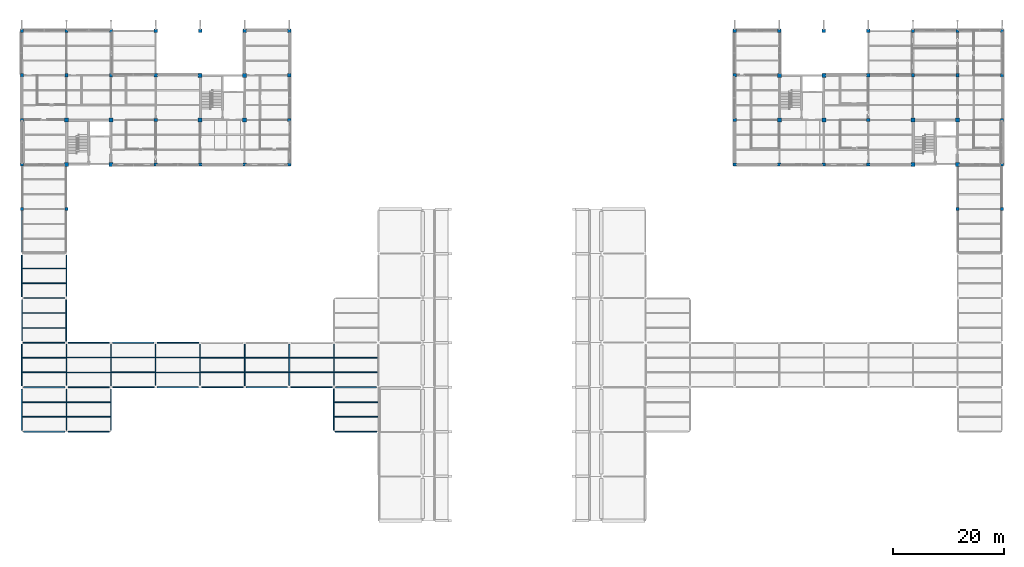
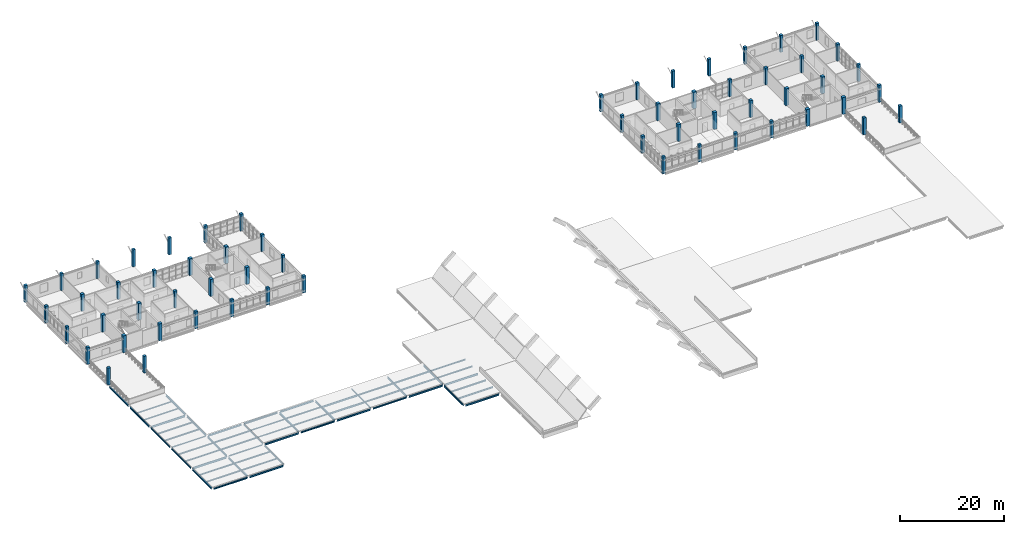
# One storey, part 1 of 35: 60 columns, 59 beams.
"""IFC4 building model written with IfcOpenShell, lengths in metres."""

import ifcopenshell
import ifcopenshell.guid

model = None  # the IFC model being written
_history = None  # IfcOwnerHistory: only IFC2X3 demands one
_inside = {}  # id of a spatial element -> (the spatial element, [elements in it])
_under = {}  # id of a project, library or spatial element -> (it, [spatial elements below it])
_declared = {}  # id of a project -> (the project, [libraries it declares])
_typed = {}  # id of a type object -> (the type object, [elements of that type])
_made_of = {}  # id of a material, layer set ... -> (it, [elements and type objects made of it])


def new_model(schema):
    """Start an empty IFC model of exactly this schema.

    Asked for "IFC4X3", IfcOpenShell would pick the latest addendum, in which some entities
    have other attributes; the version numbers below select the first issue.
    IFC2X3 requires an IfcOwnerHistory on every rooted entity: one is made here for all.
    """
    global model, _history
    if schema == "IFC4X3":
        model = ifcopenshell.file(schema_version=(4, 3, 0, 0))
    else:
        model = ifcopenshell.file(schema=schema)
    _inside.clear()
    _under.clear()
    _declared.clear()
    _typed.clear()
    _made_of.clear()
    _history = None
    if model.schema == "IFC2X3":
        org = make("IfcOrganization", Name="unknown")
        user = make(
            "IfcPersonAndOrganization",
            ThePerson=make("IfcPerson", FamilyName="unknown"),
            TheOrganization=org,
        )
        app = make(
            "IfcApplication",
            ApplicationDeveloper=org,
            Version="unknown",
            ApplicationFullName="unknown",
            ApplicationIdentifier="unknown",
        )
        _history = make(
            "IfcOwnerHistory",
            OwningUser=user,
            OwningApplication=app,
            ChangeAction="ADDED",
            CreationDate=0,
        )
    return model


def make(cls, **values):
    """One entity of the class cls with the attributes given. An attribute that is None is left unset."""
    return model.create_entity(
        cls, **{name: value for name, value in values.items() if value is not None}
    )


def rooted(cls, **values):
    """An entity with a GlobalId (a new one), such as an element, a storey or a relation."""
    return make(cls, GlobalId=ifcopenshell.guid.new(), OwnerHistory=_history, **values)


def si_unit(unit_type, name, prefix=None):
    """IfcSIUnit, for example si_unit("LENGTHUNIT", "METRE", prefix="MILLI")."""
    return make("IfcSIUnit", UnitType=unit_type, Prefix=prefix, Name=name)


def derived_unit(unit_type, elements):
    """IfcDerivedUnit: a product of units, each with its exponent."""
    return make(
        "IfcDerivedUnit",
        Elements=[
            make("IfcDerivedUnitElement", Unit=unit, Exponent=power)
            for unit, power in elements
        ],
        UnitType=unit_type,
    )


def assignment(units):
    """IfcUnitAssignment: the units of a project."""
    return None if units is None else make("IfcUnitAssignment", Units=units)


def point(xyz):
    """IfcCartesianPoint."""
    return None if xyz is None else make("IfcCartesianPoint", Coordinates=xyz)


def direction(xyz):
    """IfcDirection."""
    return None if xyz is None else make("IfcDirection", DirectionRatios=xyz)


def frame(location, z_axis=None, x_axis=None):
    """IfcAxis2Placement3D, a coordinate frame: its origin and axes. An axis left out is left unset."""
    return make(
        "IfcAxis2Placement3D",
        Location=point(location),
        Axis=direction(z_axis),
        RefDirection=direction(x_axis),
    )


def frame_2d(location, x_axis=None):
    """IfcAxis2Placement2D, a coordinate frame in the plane: its origin and x axis."""
    return make(
        "IfcAxis2Placement2D", Location=point(location), RefDirection=direction(x_axis)
    )


def origin():
    """The frame at (0, 0, 0) with its axes left unset."""
    return frame((0.0, 0.0, 0.0))


def origin_2d():
    """The frame at (0, 0) in the plane with its x axis left unset."""
    return frame_2d((0.0, 0.0))


def place(relative_to, where):
    """IfcLocalPlacement: puts the frame where relative to a parent placement (None: the world)."""
    return make(
        "IfcLocalPlacement", PlacementRelTo=relative_to, RelativePlacement=where
    )


def context(
    kind, dimensions, precision=None, world=None, true_north=None, identifier=None
):
    """IfcGeometricRepresentationContext, for example the 3D "Model" context."""
    return make(
        "IfcGeometricRepresentationContext",
        ContextIdentifier=identifier,
        ContextType=kind,
        CoordinateSpaceDimension=dimensions,
        Precision=precision,
        WorldCoordinateSystem=world,
        TrueNorth=true_north,
    )


def subcontext(parent, identifier, kind, view, scale=None):
    """IfcGeometricRepresentationSubContext, for example "Body" below "Model"."""
    return make(
        "IfcGeometricRepresentationSubContext",
        ContextIdentifier=identifier,
        ContextType=kind,
        ParentContext=parent,
        TargetScale=scale,
        TargetView=view,
    )


def project(units=None, contexts=None):
    """IfcProject with its units and contexts."""
    return rooted(
        "IfcProject",
        Name="project",
        RepresentationContexts=contexts,
        UnitsInContext=assignment(units),
    )


def spatial(cls, under=None, at=None, **own):
    """A site, building, storey or space (cls), placed at a placement, below another one or the project."""
    s = rooted(cls, ObjectPlacement=at, **own)
    if under is not None:
        _under.setdefault(under.id(), (under, []))[1].append(s)
    return s


def profile(cls, at=None, kind="AREA", **sizes):
    """A parametric profile (cls). Its sizes go by their IFC names, for example OverallWidth=200.0."""
    return make(cls, ProfileType=kind, Position=at, **sizes)


def rectangle(**sizes):
    """IfcRectangleProfileDef."""
    return profile("IfcRectangleProfileDef", **sizes)


def i_section(**sizes):
    """IfcIShapeProfileDef."""
    return profile("IfcIShapeProfileDef", **sizes)


def extrude(swept, where, along, depth):
    """IfcExtrudedAreaSolid: the profile swept, set in the frame where, extruded along a direction by depth."""
    return make(
        "IfcExtrudedAreaSolid",
        SweptArea=swept,
        Position=where,
        ExtrudedDirection=direction(along),
        Depth=depth,
    )


def shape(context_of_items, identifier, shape_type, items):
    """IfcShapeRepresentation: the items that make up one representation, for example the "Body"."""
    return make(
        "IfcShapeRepresentation",
        ContextOfItems=context_of_items,
        RepresentationIdentifier=identifier,
        RepresentationType=shape_type,
        Items=items,
    )


def material(Name=None, Category=None):
    """IfcMaterial."""
    return make("IfcMaterial", Name=Name, Category=Category)


def material_profile(
    of_material, cross_section, Name=None, Category=None, Priority=None
):
    """IfcMaterialProfile: a cross section and its material."""
    return make(
        "IfcMaterialProfile",
        Name=Name,
        Material=of_material,
        Profile=cross_section,
        Priority=Priority,
        Category=Category,
    )


def profile_set(profiles, Name=None, composite=None):
    """IfcMaterialProfileSet."""
    return make(
        "IfcMaterialProfileSet",
        Name=Name,
        MaterialProfiles=profiles,
        CompositeProfile=composite,
    )


def made_of(thing, what):
    """Note that an element or type object is made of a material, layer set ...; save() writes the relation."""
    if what is not None:
        _made_of.setdefault(what.id(), (what, []))[1].append(thing)
    return thing


def type_object(cls, material=None, **own):
    """A type object (cls), such as IfcWallType, which elements share."""
    return made_of(rooted(cls, **own), material)


def element(
    cls,
    number,
    at=None,
    inside=None,
    cuts=None,
    type_object=None,
    material=None,
    context=None,
    identifier="Body",
    shape_type=None,
    held_by="IfcProductDefinitionShape",
    body=None,
    shapes=None,
    **own,
):
    """One element of the class cls, such as IfcWall. Its Tag is "e" and its number.

    at: its placement. inside: the storey or other place that contains it. cuts: it is an
    opening in that element (IfcRelVoidsElement). A single representation is given by context,
    identifier, shape_type and body (its items); several are given by shapes. held_by: the class
    of the entity that holds the representations. save() writes the other relations.
    """
    e = rooted(cls, Tag="e%d" % number, ObjectPlacement=at, **own)
    if body is not None:
        shapes = [shape(context, identifier, shape_type, body)]
    if shapes is not None:
        e.Representation = make(held_by, Representations=shapes)
    if inside is not None:
        _inside.setdefault(inside.id(), (inside, []))[1].append(e)
    if cuts is not None:
        rooted(
            "IfcRelVoidsElement", RelatingBuildingElement=cuts, RelatedOpeningElement=e
        )
    if type_object is not None:
        _typed.setdefault(type_object.id(), (type_object, []))[1].append(e)
    return made_of(e, material)


def aggregate(whole, parts):
    """IfcRelAggregates: a whole, such as a stair, and the parts it consists of."""
    return rooted("IfcRelAggregates", RelatingObject=whole, RelatedObjects=parts)


def save(model, path):
    """Write the relations noted so far, then the file.

    IfcRelAggregates (storeys below a building ...), IfcRelContainedInSpatialStructure (elements
    in a storey), IfcRelDefinesByType, IfcRelAssociatesMaterial and IfcRelDeclares: one each for
    every whole, place, type object, material and project.
    """
    for whole, parts in _under.values():
        aggregate(whole, parts)
    for where, things in _inside.values():
        rooted(
            "IfcRelContainedInSpatialStructure",
            RelatedElements=things,
            RelatingStructure=where,
        )
    for kind, things in _typed.values():
        rooted("IfcRelDefinesByType", RelatedObjects=things, RelatingType=kind)
    for what, things in _made_of.values():
        rooted("IfcRelAssociatesMaterial", RelatedObjects=things, RelatingMaterial=what)
    for by, libraries in _declared.values():
        rooted("IfcRelDeclares", RelatingContext=by, RelatedDefinitions=libraries)
    model.write(path)


model = new_model("IFC4")

# Units and contexts
model_context = context("Model", 3, precision=1e-05, world=origin(), true_north=direction((0.0, 1.0)))
body_context = subcontext(model_context, "Body", "Model", "MODEL_VIEW")
ifc_project = project(units=[si_unit("LENGTHUNIT", "METRE"), si_unit("AREAUNIT", "SQUARE_METRE"), si_unit("VOLUMEUNIT", "CUBIC_METRE"), si_unit("PLANEANGLEUNIT", "RADIAN"), si_unit("MASSUNIT", "GRAM", prefix="KILO"), derived_unit("THERMALTRANSMITTANCEUNIT", [(si_unit("MASSUNIT", "GRAM", prefix="KILO"), 1), (si_unit("TIMEUNIT", "SECOND"), -3), (si_unit("THERMODYNAMICTEMPERATUREUNIT", "KELVIN"), -1)])], contexts=[model_context])

# Site, building, storey
site_placement = place(None, origin())
site = spatial("IfcSite", under=ifc_project, at=site_placement, CompositionType="ELEMENT")
building_placement = place(site_placement, origin())
building = spatial("IfcBuilding", under=site, at=building_placement, Name="Veyamyaing Civic Hall", CompositionType="ELEMENT")
storey_placement = place(building_placement, frame((0.0, 0.0, 21.780029296875)))
storey = spatial("IfcBuildingStorey", under=building, at=storey_placement, Name="L05", CompositionType="ELEMENT", Elevation=21.780029296875)

# Columns
ifc_material_1 = material(Name="Concrete C45/55", Category="concrete")
ifc_material_profile_1 = material_profile(ifc_material_1, rectangle(XDim=0.699951171875, YDim=0.699951171875, at=origin_2d()), Name="RC-COL-700X700")
ifc_profile_set_1 = profile_set([ifc_material_profile_1], Name="Concrete C45/55")
column_type_1 = type_object("IfcColumnType", Name="C-04", PredefinedType="COLUMN", material=ifc_profile_set_1)
for number, where, z_axis, x_axis, name in (
    (1, (8.0, 88.0, 0.0), (0.0, 0.0, 1.0), (1.0, 0.0, 0.0), "Column C-04 2-M L05"),
    (2, (8.0, 96.0, 0.0), (0.0, 0.0, 1.0), (1.0, 0.0, 0.0), "Column C-04 2-N L05"),
    (3, (16.0, 88.0, 0.0), (0.0, 0.0, 1.0), (1.0, 0.0, 0.0), "Column C-04 3-M L05"),
    (4, (16.0, 96.0, 0.0), (0.0, 0.0, 1.0), (1.0, 0.0, 0.0), "Column C-04 3-N L05"),
    (5, (32.0, 96.0, 0.0), (0.0, 0.0, 1.0), (1.0, 0.0, 0.0), "Column C-04 5-N L05"),
    (6, (32.0, 104.0, 0.0), (0.0, 0.0, 1.0), (1.0, 0.0, 0.0), "Column C-04 5-P L05"),
    (7, (40.0, 96.0, 0.0), (0.0, 0.0, 1.0), (1.0, 0.0, 0.0), "Column C-04 6-N L05"),
    (8, (40.0, 104.0, 0.0), (0.0, 0.0, 1.0), (1.0, 0.0, 0.0), "Column C-04 6-P L05"),
    (9, (136.0, 96.0, 0.0), (0.0, 0.0, 1.0), (1.0, 0.0, 0.0), "Column C-04 18-N L05"),
    (10, (136.0, 104.0, 0.0), (0.0, 0.0, 1.0), (1.0, 0.0, 0.0), "Column C-04 18-P L05"),
    (11, (144.0, 96.0, 0.0), (0.0, 0.0, 1.0), (1.0, 0.0, 0.0), "Column C-04 19-N L05"),
    (12, (144.0, 104.0, 0.0), (0.0, 0.0, 1.0), (1.0, 0.0, 0.0), "Column C-04 19-P L05"),
    (13, (160.0, 88.0, 0.0), (0.0, 0.0, 1.0), (1.0, 0.0, 0.0), "Column C-04 21-M L05"),
    (14, (160.0, 96.0, 0.0), (0.0, 0.0, 1.0), (1.0, 0.0, 0.0), "Column C-04 21-N L05"),
    (15, (168.0, 88.0, 0.0), (0.0, 0.0, 1.0), (1.0, 0.0, 0.0), "Column C-04 22-M L05"),
    (16, (168.0, 96.0, 0.0), (0.0, 0.0, 1.0), (1.0, 0.0, 0.0), "Column C-04 22-N L05"),
):
    element("IfcColumn", number, at=place(storey_placement, frame(where, z_axis=z_axis, x_axis=x_axis)), inside=storey, type_object=column_type_1, Name=name, PredefinedType="COLUMN", context=body_context, shape_type="SweptSolid", body=[
        extrude(rectangle(XDim=0.699951171875, YDim=0.699951171875, at=origin_2d()), origin(), (0.0, 0.0, 1.0), 3.9599609375),
    ])
ifc_material_profile_2 = material_profile(ifc_material_1, rectangle(XDim=0.60009765625, YDim=0.60009765625, at=origin_2d()), Name="RC-COL-600X600")
ifc_profile_set_2 = profile_set([ifc_material_profile_2], Name="Concrete C45/55")
column_type_2 = type_object("IfcColumnType", Name="C-06", PredefinedType="COLUMN", material=ifc_profile_set_2)
for number, where, z_axis, x_axis, name in (
    (17, (0.0, 80.0, 0.0), (0.0, 0.0, 1.0), (1.0, 0.0, 0.0), "Column C-06 1-L L05"),
    (18, (0.0, 88.0, 0.0), (0.0, 0.0, 1.0), (1.0, 0.0, 0.0), "Column C-06 1-M L05"),
    (19, (0.0, 96.0, 0.0), (0.0, 0.0, 1.0), (1.0, 0.0, 0.0), "Column C-06 1-N L05"),
    (20, (0.0, 104.0, 0.0), (0.0, 0.0, 1.0), (1.0, 0.0, 0.0), "Column C-06 1-P L05"),
    (21, (0.0, 112.0, 0.0), (0.0, 0.0, 1.0), (1.0, 0.0, 0.0), "Column C-06 1-Q L05"),
    (22, (8.0, 80.0, 0.0), (0.0, 0.0, 1.0), (1.0, 0.0, 0.0), "Column C-06 2-L L05"),
    (23, (8.0, 104.0, 0.0), (0.0, 0.0, 1.0), (1.0, 0.0, 0.0), "Column C-06 2-P L05"),
    (24, (8.0, 112.0, 0.0), (0.0, 0.0, 1.0), (1.0, 0.0, 0.0), "Column C-06 2-Q L05"),
    (25, (16.0, 104.0, 0.0), (0.0, 0.0, 1.0), (1.0, 0.0, 0.0), "Column C-06 3-P L05"),
    (26, (16.0, 112.0, 0.0), (0.0, 0.0, 1.0), (1.0, 0.0, 0.0), "Column C-06 3-Q L05"),
    (27, (24.0, 88.0, 0.0), (0.0, 0.0, 1.0), (1.0, 0.0, 0.0), "Column C-06 4-M L05"),
    (28, (24.0, 96.0, 0.0), (0.0, 0.0, 1.0), (1.0, 0.0, 0.0), "Column C-06 4-N L05"),
    (29, (24.0, 104.0, 0.0), (0.0, 0.0, 1.0), (1.0, 0.0, 0.0), "Column C-06 4-P L05"),
    (30, (24.0, 112.0, 0.0), (0.0, 0.0, 1.0), (1.0, 0.0, 0.0), "Column C-06 4-Q L05"),
    (31, (32.0, 88.0, 0.0), (0.0, 0.0, 1.0), (1.0, 0.0, 0.0), "Column C-06 5-M L05"),
    (32, (32.0, 112.0, 0.0), (0.0, 0.0, 1.0), (1.0, 0.0, 0.0), "Column C-06 5-Q L05"),
    (33, (40.0, 88.0, 0.0), (0.0, 0.0, 1.0), (1.0, 0.0, 0.0), "Column C-06 6-M L05"),
    (34, (40.0, 112.0, 0.0), (0.0, 0.0, 1.0), (1.0, 0.0, 0.0), "Column C-06 6-Q L05"),
    (35, (48.0, 88.0, 0.0), (0.0, 0.0, 1.0), (1.0, 0.0, 0.0), "Column C-06 7-M L05"),
    (36, (48.0, 96.0, 0.0), (0.0, 0.0, 1.0), (1.0, 0.0, 0.0), "Column C-06 7-N L05"),
    (37, (48.0, 104.0, 0.0), (0.0, 0.0, 1.0), (1.0, 0.0, 0.0), "Column C-06 7-P L05"),
    (38, (48.0, 112.0, 0.0), (0.0, 0.0, 1.0), (1.0, 0.0, 0.0), "Column C-06 7-Q L05"),
    (39, (128.0, 88.0, 0.0), (0.0, 0.0, 1.0), (1.0, 0.0, 0.0), "Column C-06 17-M L05"),
    (40, (128.0, 96.0, 0.0), (0.0, 0.0, 1.0), (1.0, 0.0, 0.0), "Column C-06 17-N L05"),
    (41, (128.0, 104.0, 0.0), (0.0, 0.0, 1.0), (1.0, 0.0, 0.0), "Column C-06 17-P L05"),
    (42, (128.0, 112.0, 0.0), (0.0, 0.0, 1.0), (1.0, 0.0, 0.0), "Column C-06 17-Q L05"),
    (43, (136.0, 88.0, 0.0), (0.0, 0.0, 1.0), (1.0, 0.0, 0.0), "Column C-06 18-M L05"),
    (44, (136.0, 112.0, 0.0), (0.0, 0.0, 1.0), (1.0, 0.0, 0.0), "Column C-06 18-Q L05"),
    (45, (144.0, 88.0, 0.0), (0.0, 0.0, 1.0), (1.0, 0.0, 0.0), "Column C-06 19-M L05"),
    (46, (144.0, 112.0, 0.0), (0.0, 0.0, 1.0), (1.0, 0.0, 0.0), "Column C-06 19-Q L05"),
    (47, (152.0, 88.0, 0.0), (0.0, 0.0, 1.0), (1.0, 0.0, 0.0), "Column C-06 20-M L05"),
    (48, (152.0, 96.0, 0.0), (0.0, 0.0, 1.0), (1.0, 0.0, 0.0), "Column C-06 20-N L05"),
    (49, (152.0, 104.0, 0.0), (0.0, 0.0, 1.0), (1.0, 0.0, 0.0), "Column C-06 20-P L05"),
    (50, (152.0, 112.0, 0.0), (0.0, 0.0, 1.0), (1.0, 0.0, 0.0), "Column C-06 20-Q L05"),
    (51, (160.0, 104.0, 0.0), (0.0, 0.0, 1.0), (1.0, 0.0, 0.0), "Column C-06 21-P L05"),
    (52, (160.0, 112.0, 0.0), (0.0, 0.0, 1.0), (1.0, 0.0, 0.0), "Column C-06 21-Q L05"),
    (53, (168.0, 80.0, 0.0), (0.0, 0.0, 1.0), (1.0, 0.0, 0.0), "Column C-06 22-L L05"),
    (54, (168.0, 104.0, 0.0), (0.0, 0.0, 1.0), (1.0, 0.0, 0.0), "Column C-06 22-P L05"),
    (55, (168.0, 112.0, 0.0), (0.0, 0.0, 1.0), (1.0, 0.0, 0.0), "Column C-06 22-Q L05"),
    (56, (176.0, 80.0, 0.0), (0.0, 0.0, 1.0), (1.0, 0.0, 0.0), "Column C-06 23-L L05"),
    (57, (176.0, 88.0, 0.0), (0.0, 0.0, 1.0), (1.0, 0.0, 0.0), "Column C-06 23-M L05"),
    (58, (176.0, 96.0, 0.0), (0.0, 0.0, 1.0), (1.0, 0.0, 0.0), "Column C-06 23-N L05"),
    (59, (176.0, 104.0, 0.0), (0.0, 0.0, 1.0), (1.0, 0.0, 0.0), "Column C-06 23-P L05"),
    (60, (176.0, 112.0, 0.0), (0.0, 0.0, 1.0), (1.0, 0.0, 0.0), "Column C-06 23-Q L05"),
):
    element("IfcColumn", number, at=place(storey_placement, frame(where, z_axis=z_axis, x_axis=x_axis)), inside=storey, type_object=column_type_2, Name=name, PredefinedType="COLUMN", context=body_context, shape_type="SweptSolid", body=[
        extrude(rectangle(XDim=0.60009765625, YDim=0.60009765625, at=origin_2d()), origin(), (0.0, 0.0, 1.0), 3.9599609375),
    ])

# Beams
ifc_material_2 = material(Name="Steel ASTM A992", Category="steel")
ifc_material_profile_3 = material_profile(ifc_material_2, i_section(OverallWidth=0.19189453125, OverallDepth=0.462890625, WebThickness=0.010498046875, FlangeThickness=0.017578125, FilletRadius=0.010009765625, at=origin_2d()), Name="W460X89")
ifc_profile_set_3 = profile_set([ifc_material_profile_3], Name="Steel ASTM A992")
beam_type_1 = type_object("IfcBeamType", Name="B-08", PredefinedType="BEAM", material=ifc_profile_set_3)
for number, where, z_axis, x_axis, name in (
    (61, (0.27490234375, 64.0, -0.4814453125), (1.0, 0.0, 0.0), (0.0, 1.0, 0.0), "Girder B-08 L05 Grid J 1-2"),
    (62, (8.0, 40.27490234375, -0.4814453125), (0.0, 1.0, 0.0), (-1.0, 0.0, 0.0), "Girder B-08 L05 Grid 2 F-G"),
    (63, (24.0, 48.27490234375, -0.4814453125), (0.0, 1.0, 0.0), (-1.0, 0.0, 0.0), "Girder B-08 L05 Grid 4 G-H"),
    (64, (48.0, 48.27490234375, -0.4814453125), (0.0, 1.0, 0.0), (-1.0, 0.0, 0.0), "Girder B-08 L05 Grid 7 G-H"),
):
    element("IfcBeam", number, at=place(storey_placement, frame(where, z_axis=z_axis, x_axis=x_axis)), inside=storey, type_object=beam_type_1, Name=name, PredefinedType="BEAM", context=body_context, shape_type="SweptSolid", body=[
        extrude(i_section(OverallWidth=0.19189453125, OverallDepth=0.462890625, WebThickness=0.010498046875, FlangeThickness=0.017578125, FilletRadius=0.010009765625, at=origin_2d()), origin(), (0.0, 0.0, 1.0), 7.4501953125),
    ])
ifc_material_profile_4 = material_profile(ifc_material_2, i_section(OverallWidth=0.18994140625, OverallDepth=0.45703125, WebThickness=0.009033203125, FlangeThickness=0.014404296875, FilletRadius=0.010009765625, at=origin_2d()), Name="W460X74")
ifc_profile_set_4 = profile_set([ifc_material_profile_4], Name="Steel ASTM A992")
beam_type_2 = type_object("IfcBeamType", Name="B-09", PredefinedType="BEAM", material=ifc_profile_set_4)
beam_1_placement = place(storey_placement, frame((56.27490234375, 48.0, -0.478515625), z_axis=(1.0, 0.0, 0.0), x_axis=(0.0, 1.0, 0.0)))
element("IfcBeam", 65, at=beam_1_placement, inside=storey, type_object=beam_type_2, Name="Girder B-09 L05 Grid G 8-9", PredefinedType="BEAM", context=body_context, shape_type="SweptSolid", body=[
    extrude(i_section(OverallWidth=0.18994140625, OverallDepth=0.45703125, WebThickness=0.009033203125, FlangeThickness=0.014404296875, FilletRadius=0.010009765625, at=origin_2d()), origin(), (0.0, 0.0, 1.0), 7.375),
])
for number, where, z_axis, x_axis, name in (
    (66, (8.0, 48.27490234375, -0.478515625), (0.0, 1.0, 0.0), (-1.0, 0.0, 0.0), "Girder B-09 L05 Grid 2 G-H"),
    (67, (32.0, 48.27490234375, -0.478515625), (0.0, 1.0, 0.0), (-1.0, 0.0, 0.0), "Girder B-09 L05 Grid 5 G-H"),
    (68, (56.0, 48.27490234375, -0.478515625), (0.0, 1.0, 0.0), (-1.0, 0.0, 0.0), "Girder B-09 L05 Grid 8 G-H"),
):
    element("IfcBeam", number, at=place(storey_placement, frame(where, z_axis=z_axis, x_axis=x_axis)), inside=storey, type_object=beam_type_2, Name=name, PredefinedType="BEAM", context=body_context, shape_type="SweptSolid", body=[
        extrude(i_section(OverallWidth=0.18994140625, OverallDepth=0.45703125, WebThickness=0.009033203125, FlangeThickness=0.014404296875, FilletRadius=0.010009765625, at=origin_2d()), origin(), (0.0, 0.0, 1.0), 7.4501953125),
    ])
ifc_material_profile_5 = material_profile(ifc_material_2, i_section(OverallWidth=0.179931640625, OverallDepth=0.4130859375, WebThickness=0.009765625, FlangeThickness=0.01611328125, FilletRadius=0.010009765625, at=origin_2d()), Name="W410X74")
ifc_profile_set_5 = profile_set([ifc_material_profile_5], Name="Steel ASTM A992")
beam_type_3 = type_object("IfcBeamType", Name="B-10", PredefinedType="SPANDREL", material=ifc_profile_set_5)
for number, where, z_axis, x_axis, name in (
    (69, (8.27490234375, 40.0, -0.45654296875), (1.0, 0.0, 0.0), (0.0, 1.0, 0.0), "Girder B-10 L05 Grid F 2-3"),
    (70, (32.27490234375, 48.0, -0.45654296875), (1.0, 0.0, 0.0), (0.0, 1.0, 0.0), "Girder B-10 L05 Grid G 5-6"),
    (71, (24.27490234375, 56.0, -0.45654296875), (1.0, 0.0, 0.0), (0.0, 1.0, 0.0), "Girder B-10 L05 Grid H 4-5"),
    (72, (0.0, 48.27490234375, -0.45654296875), (0.0, 1.0, 0.0), (-1.0, 0.0, 0.0), "Girder B-10 L05 Grid 1 G-H"),
):
    element("IfcBeam", number, at=place(storey_placement, frame(where, z_axis=z_axis, x_axis=x_axis)), inside=storey, type_object=beam_type_3, Name=name, PredefinedType="SPANDREL", context=body_context, shape_type="SweptSolid", body=[
        extrude(i_section(OverallWidth=0.179931640625, OverallDepth=0.4130859375, WebThickness=0.009765625, FlangeThickness=0.01611328125, FilletRadius=0.010009765625, at=origin_2d()), origin(), (0.0, 0.0, 1.0), 7.4501953125),
    ])
ifc_material_profile_6 = material_profile(ifc_material_2, i_section(OverallWidth=0.2041015625, OverallDepth=0.35009765625, WebThickness=0.0078125, FlangeThickness=0.01513671875, FilletRadius=0.010009765625, at=origin_2d()), Name="W360X72")
ifc_profile_set_6 = profile_set([ifc_material_profile_6], Name="Steel ASTM A992")
beam_type_4 = type_object("IfcBeamType", Name="B-11", PredefinedType="SPANDREL", material=ifc_profile_set_6)
for number, where, z_axis, x_axis, name in (
    (73, (40.27490234375, 48.0, -0.425048828125), (1.0, 0.0, 0.0), (0.0, 1.0, 0.0), "Girder B-11 L05 Grid G 6-7"),
    (74, (0.0, 56.27490234375, -0.425048828125), (0.0, 1.0, 0.0), (-1.0, 0.0, 0.0), "Girder B-11 L05 Grid 1 H-J"),
    (75, (16.0, 40.27490234375, -0.425048828125), (0.0, 1.0, 0.0), (-1.0, 0.0, 0.0), "Girder B-11 L05 Grid 3 F-G"),
):
    element("IfcBeam", number, at=place(storey_placement, frame(where, z_axis=z_axis, x_axis=x_axis)), inside=storey, type_object=beam_type_4, Name=name, PredefinedType="SPANDREL", context=body_context, shape_type="SweptSolid", body=[
        extrude(i_section(OverallWidth=0.2041015625, OverallDepth=0.35009765625, WebThickness=0.0078125, FlangeThickness=0.01513671875, FilletRadius=0.010009765625, at=origin_2d()), origin(), (0.0, 0.0, 1.0), 7.4501953125),
    ])
ifc_material_profile_7 = material_profile(ifc_material_2, i_section(OverallWidth=0.14599609375, OverallDepth=0.258056640625, WebThickness=0.006103515625, FlangeThickness=0.009033203125, FilletRadius=0.010009765625, at=origin_2d()), Name="W250X33")
ifc_profile_set_7 = profile_set([ifc_material_profile_7], Name="Steel ASTM A992")
beam_type_5 = type_object("IfcBeamType", Name="B-12", PredefinedType="BEAM", material=ifc_profile_set_7)
for number, where, z_axis, x_axis, name in (
    (76, (8.27490234375, 48.0, -0.379150390625), (1.0, 0.0, 0.0), (0.0, 1.0, 0.0), "Girder B-12 L05 Grid G 2-3"),
    (77, (0.27490234375, 56.0, -0.379150390625), (1.0, 0.0, 0.0), (0.0, 1.0, 0.0), "Girder B-12 L05 Grid H 1-2"),
    (78, (16.0, 48.27490234375, -0.379150390625), (0.0, 1.0, 0.0), (-1.0, 0.0, 0.0), "Girder B-12 L05 Grid 3 G-H"),
    (79, (40.0, 48.27490234375, -0.379150390625), (0.0, 1.0, 0.0), (-1.0, 0.0, 0.0), "Girder B-12 L05 Grid 6 G-H"),
):
    element("IfcBeam", number, at=place(storey_placement, frame(where, z_axis=z_axis, x_axis=x_axis)), inside=storey, type_object=beam_type_5, Name=name, PredefinedType="BEAM", context=body_context, shape_type="SweptSolid", body=[
        extrude(i_section(OverallWidth=0.14599609375, OverallDepth=0.258056640625, WebThickness=0.006103515625, FlangeThickness=0.009033203125, FilletRadius=0.010009765625, at=origin_2d()), origin(), (0.0, 0.0, 1.0), 7.4501953125),
    ])
ifc_material_profile_8 = material_profile(ifc_material_2, i_section(OverallWidth=0.194091796875, OverallDepth=0.468994140625, WebThickness=0.0126953125, FlangeThickness=0.0205078125, FilletRadius=0.010009765625, at=origin_2d()), Name="W460X106")
ifc_profile_set_8 = profile_set([ifc_material_profile_8], Name="Steel ASTM A992")
beam_type_6 = type_object("IfcBeamType", Name="B-18", PredefinedType="BEAM", material=ifc_profile_set_8)
beam_2_placement = place(storey_placement, frame((0.27490234375, 48.0, -0.484619140625), z_axis=(1.0, 0.0, 0.0), x_axis=(0.0, 1.0, 0.0)))
element("IfcBeam", 80, at=beam_2_placement, inside=storey, type_object=beam_type_6, Name="Girder B-18 L05 Grid G 1-2", PredefinedType="BEAM", context=body_context, shape_type="SweptSolid", body=[
    extrude(i_section(OverallWidth=0.194091796875, OverallDepth=0.468994140625, WebThickness=0.0126953125, FlangeThickness=0.0205078125, FilletRadius=0.010009765625, at=origin_2d()), origin(), (0.0, 0.0, 1.0), 7.4501953125),
])
ifc_material_profile_9 = material_profile(ifc_material_2, i_section(OverallWidth=0.180908203125, OverallDepth=0.4169921875, WebThickness=0.010986328125, FlangeThickness=0.018310546875, FilletRadius=0.010009765625, at=origin_2d()), Name="W410X85")
ifc_profile_set_9 = profile_set([ifc_material_profile_9], Name="Steel ASTM A992")
beam_type_7 = type_object("IfcBeamType", Name="B-19", PredefinedType="SPANDREL", material=ifc_profile_set_9)
for number, where, z_axis, x_axis, name in (
    (81, (56.27490234375, 40.0, -0.45849609375), (1.0, 0.0, 0.0), (0.0, 1.0, 0.0), "Girder B-19 L05 Grid F 8-9"),
    (82, (16.27490234375, 48.0, -0.45849609375), (1.0, 0.0, 0.0), (0.0, 1.0, 0.0), "Girder B-19 L05 Grid G 3-4"),
    (83, (48.27490234375, 48.0, -0.45849609375), (1.0, 0.0, 0.0), (0.0, 1.0, 0.0), "Girder B-19 L05 Grid G 7-8"),
    (84, (8.27490234375, 56.0, -0.45849609375), (1.0, 0.0, 0.0), (0.0, 1.0, 0.0), "Girder B-19 L05 Grid H 2-3"),
    (85, (0.0, 64.27490234375, -0.45849609375), (0.0, 1.0, 0.0), (-1.0, 0.0, 0.0), "Girder B-19 L05 Grid 1 J-K"),
    (86, (8.0, 56.27490234375, -0.45849609375), (0.0, 1.0, 0.0), (-1.0, 0.0, 0.0), "Girder B-19 L05 Grid 2 H-J"),
    (87, (56.0, 40.27490234375, -0.45849609375), (0.0, 1.0, 0.0), (-1.0, 0.0, 0.0), "Girder B-19 L05 Grid 8 F-G"),
):
    element("IfcBeam", number, at=place(storey_placement, frame(where, z_axis=z_axis, x_axis=x_axis)), inside=storey, type_object=beam_type_7, Name=name, PredefinedType="SPANDREL", context=body_context, shape_type="SweptSolid", body=[
        extrude(i_section(OverallWidth=0.180908203125, OverallDepth=0.4169921875, WebThickness=0.010986328125, FlangeThickness=0.018310546875, FilletRadius=0.010009765625, at=origin_2d()), origin(), (0.0, 0.0, 1.0), 7.4501953125),
    ])
ifc_material_profile_10 = material_profile(ifc_material_2, i_section(OverallWidth=0.25390625, OverallDepth=0.35302734375, WebThickness=0.009521484375, FlangeThickness=0.016357421875, FilletRadius=0.011962890625, at=origin_2d()), Name="W360X91")
ifc_profile_set_10 = profile_set([ifc_material_profile_10], Name="Steel ASTM A992")
beam_type_8 = type_object("IfcBeamType", Name="B-20", PredefinedType="SPANDREL", material=ifc_profile_set_10)
for number, where, z_axis, x_axis, name in (
    (88, (0.27490234375, 40.0, -0.426513671875), (1.0, 0.0, 0.0), (0.0, 1.0, 0.0), "Girder B-20 L05 Grid F 1-2"),
    (89, (24.27490234375, 48.0, -0.426513671875), (1.0, 0.0, 0.0), (0.0, 1.0, 0.0), "Girder B-20 L05 Grid G 4-5"),
    (90, (16.27490234375, 56.0, -0.426513671875), (1.0, 0.0, 0.0), (0.0, 1.0, 0.0), "Girder B-20 L05 Grid H 3-4"),
    (91, (0.0, 40.27490234375, -0.426513671875), (0.0, 1.0, 0.0), (-1.0, 0.0, 0.0), "Girder B-20 L05 Grid 1 F-G"),
):
    element("IfcBeam", number, at=place(storey_placement, frame(where, z_axis=z_axis, x_axis=x_axis)), inside=storey, type_object=beam_type_8, Name=name, PredefinedType="SPANDREL", context=body_context, shape_type="SweptSolid", body=[
        extrude(i_section(OverallWidth=0.25390625, OverallDepth=0.35302734375, WebThickness=0.009521484375, FlangeThickness=0.016357421875, FilletRadius=0.011962890625, at=origin_2d()), origin(), (0.0, 0.0, 1.0), 7.4501953125),
    ])
beam_3_placement = place(storey_placement, frame((0.0, 72.27490234375, -0.406494140625), z_axis=(0.0, 1.0, 0.0), x_axis=(-1.0, 0.0, 0.0)))
element("IfcBeam", 92, at=beam_3_placement, inside=storey, type_object=beam_type_8, Name="Girder B-20 L05 Grid 1 K-L", PredefinedType="SPANDREL", context=body_context, shape_type="SweptSolid", body=[
    extrude(i_section(OverallWidth=0.25390625, OverallDepth=0.35302734375, WebThickness=0.009521484375, FlangeThickness=0.016357421875, FilletRadius=0.011962890625, at=origin_2d()), origin(), (0.0, 0.0, 1.0), 7.400146484375),
])
beam_4_placement = place(storey_placement, frame((8.0, 64.27490234375, -0.426513671875), z_axis=(0.0, 1.0, 0.0), x_axis=(-1.0, 0.0, 0.0)))
element("IfcBeam", 93, at=beam_4_placement, inside=storey, type_object=beam_type_8, Name="Girder B-20 L05 Grid 2 J-K", PredefinedType="SPANDREL", context=body_context, shape_type="SweptSolid", body=[
    extrude(i_section(OverallWidth=0.25390625, OverallDepth=0.35302734375, WebThickness=0.009521484375, FlangeThickness=0.016357421875, FilletRadius=0.011962890625, at=origin_2d()), origin(), (0.0, 0.0, 1.0), 7.4501953125),
])
ifc_material_profile_11 = material_profile(ifc_material_2, i_section(OverallWidth=0.177978515625, OverallDepth=0.406982421875, WebThickness=0.0078125, FlangeThickness=0.0126953125, FilletRadius=0.010009765625, at=origin_2d()), Name="W410X60")
ifc_profile_set_11 = profile_set([ifc_material_profile_11], Name="Steel ASTM A992")
beam_type_9 = type_object("IfcBeamType", Name="J-01", PredefinedType="JOIST", material=ifc_profile_set_11)
for number, where, z_axis, x_axis, name in (
    (94, (32.093017578125, 50.666748046875, -0.45361328125), (1.0, 0.0, 0.0), (0.0, 1.0, 0.0), "Composite floor joist J-01 L05 5.7.1"),
    (95, (32.093017578125, 53.333251953125, -0.45361328125), (1.0, 0.0, 0.0), (0.0, 1.0, 0.0), "Composite floor joist J-01 L05 5.7.2"),
):
    element("IfcBeam", number, at=place(storey_placement, frame(where, z_axis=z_axis, x_axis=x_axis)), inside=storey, type_object=beam_type_9, Name=name, PredefinedType="JOIST", context=body_context, shape_type="SweptSolid", body=[
        extrude(i_section(OverallWidth=0.177978515625, OverallDepth=0.406982421875, WebThickness=0.0078125, FlangeThickness=0.0126953125, FilletRadius=0.010009765625, at=origin_2d()), origin(), (0.0, 0.0, 1.0), 7.8359375),
    ])
ifc_material_profile_12 = material_profile(ifc_material_2, i_section(OverallWidth=0.172119140625, OverallDepth=0.35791015625, WebThickness=0.0078125, FlangeThickness=0.01318359375, FilletRadius=0.010009765625, at=origin_2d()), Name="W360X57")
ifc_profile_set_12 = profile_set([ifc_material_profile_12], Name="Steel ASTM A992")
beam_type_10 = type_object("IfcBeamType", Name="J-02", PredefinedType="JOIST", material=ifc_profile_set_12)
for number, where, z_axis, x_axis, name in (
    (96, (40.071044921875, 50.666748046875, -0.428955078125), (1.0, 0.0, 0.0), (0.0, 1.0, 0.0), "Composite floor joist J-02 L05 6.7.1"),
    (97, (40.071044921875, 53.333251953125, -0.428955078125), (1.0, 0.0, 0.0), (0.0, 1.0, 0.0), "Composite floor joist J-02 L05 6.7.2"),
):
    element("IfcBeam", number, at=place(storey_placement, frame(where, z_axis=z_axis, x_axis=x_axis)), inside=storey, type_object=beam_type_10, Name=name, PredefinedType="JOIST", context=body_context, shape_type="SweptSolid", body=[
        extrude(i_section(OverallWidth=0.172119140625, OverallDepth=0.35791015625, WebThickness=0.0078125, FlangeThickness=0.01318359375, FilletRadius=0.010009765625, at=origin_2d()), origin(), (0.0, 0.0, 1.0), 7.8349609375),
    ])
ifc_material_profile_13 = material_profile(ifc_material_2, i_section(OverallWidth=0.1708984375, OverallDepth=0.35205078125, WebThickness=0.0068359375, FlangeThickness=0.009765625, FilletRadius=0.010009765625, at=origin_2d()), Name="W360X44")
ifc_profile_set_13 = profile_set([ifc_material_profile_13], Name="Steel ASTM A992")
beam_type_11 = type_object("IfcBeamType", Name="J-03", PredefinedType="JOIST", material=ifc_profile_set_13)
for number, where, z_axis, x_axis, name in (
    (98, (48.093994140625, 50.666748046875, -0.426025390625), (1.0, 0.0, 0.0), (0.0, 1.0, 0.0), "Composite floor joist J-03 L05 7.7.1"),
    (99, (48.093994140625, 53.333251953125, -0.426025390625), (1.0, 0.0, 0.0), (0.0, 1.0, 0.0), "Composite floor joist J-03 L05 7.7.2"),
):
    element("IfcBeam", number, at=place(storey_placement, frame(where, z_axis=z_axis, x_axis=x_axis)), inside=storey, type_object=beam_type_11, Name=name, PredefinedType="JOIST", context=body_context, shape_type="SweptSolid", body=[
        extrude(i_section(OverallWidth=0.1708984375, OverallDepth=0.35205078125, WebThickness=0.0068359375, FlangeThickness=0.009765625, FilletRadius=0.010009765625, at=origin_2d()), origin(), (0.0, 0.0, 1.0), 7.81298828125),
    ])
for number, where, z_axis, x_axis, name in (
    (100, (56.08837890625, 42.666748046875, -0.426025390625), (1.0, 0.0, 0.0), (0.0, 1.0, 0.0), "Composite floor joist J-03 L05 8.6.1"),
    (101, (56.08837890625, 45.333251953125, -0.426025390625), (1.0, 0.0, 0.0), (0.0, 1.0, 0.0), "Composite floor joist J-03 L05 8.6.2"),
):
    element("IfcBeam", number, at=place(storey_placement, frame(where, z_axis=z_axis, x_axis=x_axis)), inside=storey, type_object=beam_type_11, Name=name, PredefinedType="JOIST", context=body_context, shape_type="SweptSolid", body=[
        extrude(i_section(OverallWidth=0.1708984375, OverallDepth=0.35205078125, WebThickness=0.0068359375, FlangeThickness=0.009765625, FilletRadius=0.010009765625, at=origin_2d()), origin(), (0.0, 0.0, 1.0), 7.818603515625),
    ])
ifc_material_profile_14 = material_profile(ifc_material_2, i_section(OverallWidth=0.1669921875, OverallDepth=0.318115234375, WebThickness=0.007568359375, FlangeThickness=0.01318359375, FilletRadius=0.010009765625, at=origin_2d()), Name="W310X52")
ifc_profile_set_14 = profile_set([ifc_material_profile_14], Name="Steel ASTM A992")
beam_type_12 = type_object("IfcBeamType", Name="J-04", PredefinedType="JOIST", material=ifc_profile_set_14)
for number, where, z_axis, x_axis, name in (
    (102, (0.125, 42.666748046875, -0.408935546875), (1.0, 0.0, 0.0), (0.0, 1.0, 0.0), "Composite floor joist J-04 L05 1.6.1"),
    (103, (0.125, 45.333251953125, -0.408935546875), (1.0, 0.0, 0.0), (0.0, 1.0, 0.0), "Composite floor joist J-04 L05 1.6.2"),
):
    element("IfcBeam", number, at=place(storey_placement, frame(where, z_axis=z_axis, x_axis=x_axis)), inside=storey, type_object=beam_type_12, Name=name, PredefinedType="JOIST", context=body_context, shape_type="SweptSolid", body=[
        extrude(i_section(OverallWidth=0.1669921875, OverallDepth=0.318115234375, WebThickness=0.007568359375, FlangeThickness=0.01318359375, FilletRadius=0.010009765625, at=origin_2d()), origin(), (0.0, 0.0, 1.0), 7.781005859375),
    ])
for number, where, z_axis, x_axis, name in (
    (104, (56.093017578125, 50.666748046875, -0.408935546875), (1.0, 0.0, 0.0), (0.0, 1.0, 0.0), "Composite floor joist J-04 L05 8.7.1"),
    (105, (56.093017578125, 53.333251953125, -0.408935546875), (1.0, 0.0, 0.0), (0.0, 1.0, 0.0), "Composite floor joist J-04 L05 8.7.2"),
):
    element("IfcBeam", number, at=place(storey_placement, frame(where, z_axis=z_axis, x_axis=x_axis)), inside=storey, type_object=beam_type_12, Name=name, PredefinedType="JOIST", context=body_context, shape_type="SweptSolid", body=[
        extrude(i_section(OverallWidth=0.1669921875, OverallDepth=0.318115234375, WebThickness=0.007568359375, FlangeThickness=0.01318359375, FilletRadius=0.010009765625, at=origin_2d()), origin(), (0.0, 0.0, 1.0), 7.8359375),
    ])
ifc_material_profile_15 = material_profile(ifc_material_2, i_section(OverallWidth=0.1650390625, OverallDepth=0.31005859375, WebThickness=0.005859375, FlangeThickness=0.009765625, FilletRadius=0.010009765625, at=origin_2d()), Name="W310X39")
ifc_profile_set_15 = profile_set([ifc_material_profile_15], Name="Steel ASTM A992")
beam_type_13 = type_object("IfcBeamType", Name="J-05", PredefinedType="JOIST", material=ifc_profile_set_15)
for number, where, z_axis, x_axis, name in (
    (106, (0.087890625, 50.666748046875, -0.405029296875), (1.0, 0.0, 0.0), (0.0, 1.0, 0.0), "Composite floor joist J-05 L05 1.7.1"),
    (107, (0.087890625, 53.333251953125, -0.405029296875), (1.0, 0.0, 0.0), (0.0, 1.0, 0.0), "Composite floor joist J-05 L05 1.7.2"),
):
    element("IfcBeam", number, at=place(storey_placement, frame(where, z_axis=z_axis, x_axis=x_axis)), inside=storey, type_object=beam_type_13, Name=name, PredefinedType="JOIST", context=body_context, shape_type="SweptSolid", body=[
        extrude(i_section(OverallWidth=0.1650390625, OverallDepth=0.31005859375, WebThickness=0.005859375, FlangeThickness=0.009765625, FilletRadius=0.010009765625, at=origin_2d()), origin(), (0.0, 0.0, 1.0), 7.819091796875),
    ])
for number, where, z_axis, x_axis, name in (
    (108, (8.093994140625, 42.666748046875, -0.405029296875), (1.0, 0.0, 0.0), (0.0, 1.0, 0.0), "Composite floor joist J-05 L05 2.6.1"),
    (109, (8.093994140625, 45.333251953125, -0.405029296875), (1.0, 0.0, 0.0), (0.0, 1.0, 0.0), "Composite floor joist J-05 L05 2.6.2"),
):
    element("IfcBeam", number, at=place(storey_placement, frame(where, z_axis=z_axis, x_axis=x_axis)), inside=storey, type_object=beam_type_13, Name=name, PredefinedType="JOIST", context=body_context, shape_type="SweptSolid", body=[
        extrude(i_section(OverallWidth=0.1650390625, OverallDepth=0.31005859375, WebThickness=0.005859375, FlangeThickness=0.009765625, FilletRadius=0.010009765625, at=origin_2d()), origin(), (0.0, 0.0, 1.0), 7.805908203125),
    ])
ifc_material_profile_16 = material_profile(ifc_material_2, i_section(OverallWidth=0.2041015625, OverallDepth=0.305908203125, WebThickness=0.008544921875, FlangeThickness=0.0146484375, FilletRadius=0.010009765625, at=origin_2d()), Name="W310X67")
ifc_profile_set_16 = profile_set([ifc_material_profile_16], Name="Steel ASTM A992")
beam_type_14 = type_object("IfcBeamType", Name="J-06", PredefinedType="JOIST", material=ifc_profile_set_16)
for number, where, z_axis, x_axis, name in (
    (110, (0.10009765625, 58.666748046875, -0.403076171875), (1.0, 0.0, 0.0), (0.0, 1.0, 0.0), "Composite floor joist J-06 L05 1.8.1"),
    (111, (0.10009765625, 61.333251953125, -0.403076171875), (1.0, 0.0, 0.0), (0.0, 1.0, 0.0), "Composite floor joist J-06 L05 1.8.2"),
):
    element("IfcBeam", number, at=place(storey_placement, frame(where, z_axis=z_axis, x_axis=x_axis)), inside=storey, type_object=beam_type_14, Name=name, PredefinedType="JOIST", context=body_context, shape_type="SweptSolid", body=[
        extrude(i_section(OverallWidth=0.2041015625, OverallDepth=0.305908203125, WebThickness=0.008544921875, FlangeThickness=0.0146484375, FilletRadius=0.010009765625, at=origin_2d()), origin(), (0.0, 0.0, 1.0), 7.8115234375),
    ])
for number, where, z_axis, x_axis, name in (
    (112, (8.093017578125, 50.666748046875, -0.403076171875), (1.0, 0.0, 0.0), (0.0, 1.0, 0.0), "Composite floor joist J-06 L05 2.7.1"),
    (113, (8.093017578125, 53.333251953125, -0.403076171875), (1.0, 0.0, 0.0), (0.0, 1.0, 0.0), "Composite floor joist J-06 L05 2.7.2"),
):
    element("IfcBeam", number, at=place(storey_placement, frame(where, z_axis=z_axis, x_axis=x_axis)), inside=storey, type_object=beam_type_14, Name=name, PredefinedType="JOIST", context=body_context, shape_type="SweptSolid", body=[
        extrude(i_section(OverallWidth=0.2041015625, OverallDepth=0.305908203125, WebThickness=0.008544921875, FlangeThickness=0.0146484375, FilletRadius=0.010009765625, at=origin_2d()), origin(), (0.0, 0.0, 1.0), 7.8359375),
    ])
ifc_material_profile_17 = material_profile(ifc_material_2, i_section(OverallWidth=0.14794921875, OverallDepth=0.26611328125, WebThickness=0.007568359375, FlangeThickness=0.012939453125, FilletRadius=0.010009765625, at=origin_2d()), Name="W250X45")
ifc_profile_set_17 = profile_set([ifc_material_profile_17], Name="Steel ASTM A992")
beam_type_15 = type_object("IfcBeamType", Name="J-07", PredefinedType="JOIST", material=ifc_profile_set_17)
for number, where, z_axis, x_axis, name in (
    (114, (0.08837890625, 66.666748046875, -0.383056640625), (1.0, 0.0, 0.0), (0.0, 1.0, 0.0), "Composite floor joist J-07 L05 1.9.1"),
    (115, (0.08837890625, 69.333251953125, -0.383056640625), (1.0, 0.0, 0.0), (0.0, 1.0, 0.0), "Composite floor joist J-07 L05 1.9.2"),
):
    element("IfcBeam", number, at=place(storey_placement, frame(where, z_axis=z_axis, x_axis=x_axis)), inside=storey, type_object=beam_type_15, Name=name, PredefinedType="JOIST", context=body_context, shape_type="SweptSolid", body=[
        extrude(i_section(OverallWidth=0.14794921875, OverallDepth=0.26611328125, WebThickness=0.007568359375, FlangeThickness=0.012939453125, FilletRadius=0.010009765625, at=origin_2d()), origin(), (0.0, 0.0, 1.0), 7.78662109375),
    ])
for number, where, z_axis, x_axis, name in (
    (116, (16.071044921875, 50.666748046875, -0.383056640625), (1.0, 0.0, 0.0), (0.0, 1.0, 0.0), "Composite floor joist J-07 L05 3.7.1"),
    (117, (16.071044921875, 53.333251953125, -0.383056640625), (1.0, 0.0, 0.0), (0.0, 1.0, 0.0), "Composite floor joist J-07 L05 3.7.2"),
):
    element("IfcBeam", number, at=place(storey_placement, frame(where, z_axis=z_axis, x_axis=x_axis)), inside=storey, type_object=beam_type_15, Name=name, PredefinedType="JOIST", context=body_context, shape_type="SweptSolid", body=[
        extrude(i_section(OverallWidth=0.14794921875, OverallDepth=0.26611328125, WebThickness=0.007568359375, FlangeThickness=0.012939453125, FilletRadius=0.010009765625, at=origin_2d()), origin(), (0.0, 0.0, 1.0), 7.8349609375),
    ])
ifc_material_profile_18 = material_profile(ifc_material_2, i_section(OverallWidth=0.133056640625, OverallDepth=0.20703125, WebThickness=0.005859375, FlangeThickness=0.00830078125, FilletRadius=0.010009765625, at=origin_2d()), Name="W200X27")
ifc_profile_set_18 = profile_set([ifc_material_profile_18], Name="Steel ASTM A992")
beam_type_16 = type_object("IfcBeamType", Name="J-08", PredefinedType="JOIST", material=ifc_profile_set_18)
for number, where, z_axis, x_axis, name in (
    (118, (24.093994140625, 50.666748046875, -0.353515625), (1.0, 0.0, 0.0), (0.0, 1.0, 0.0), "Composite floor joist J-08 L05 4.7.1"),
    (119, (24.093994140625, 53.333251953125, -0.353515625), (1.0, 0.0, 0.0), (0.0, 1.0, 0.0), "Composite floor joist J-08 L05 4.7.2"),
):
    element("IfcBeam", number, at=place(storey_placement, frame(where, z_axis=z_axis, x_axis=x_axis)), inside=storey, type_object=beam_type_16, Name=name, PredefinedType="JOIST", context=body_context, shape_type="SweptSolid", body=[
        extrude(i_section(OverallWidth=0.133056640625, OverallDepth=0.20703125, WebThickness=0.005859375, FlangeThickness=0.00830078125, FilletRadius=0.010009765625, at=origin_2d()), origin(), (0.0, 0.0, 1.0), 7.81298828125),
    ])

save(model, "model.ifc")
